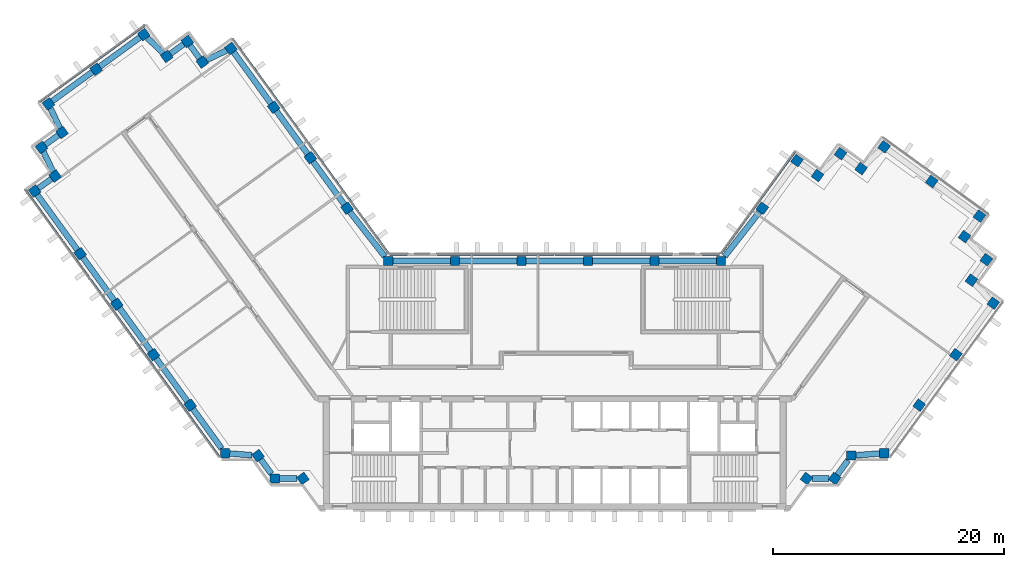
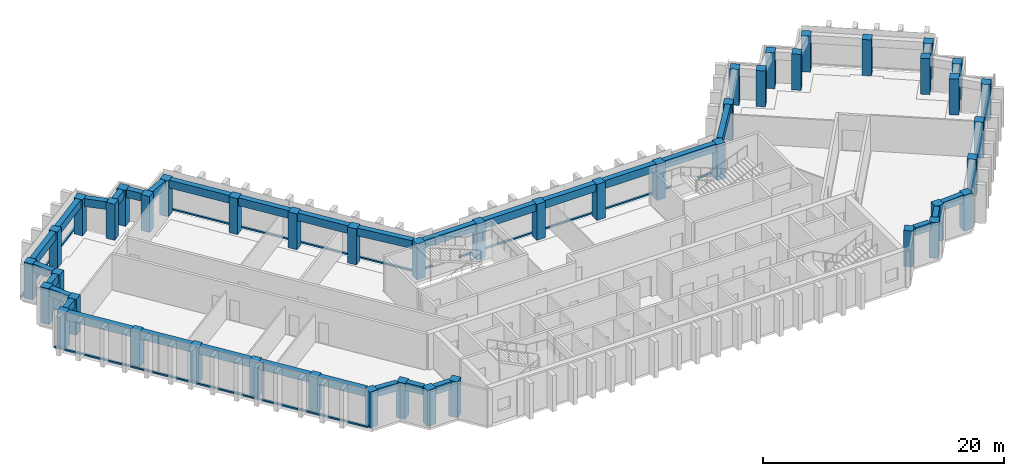
"""IFC4 building model written with IfcOpenShell, lengths in metres."""

import ifcopenshell
import ifcopenshell.guid

model = None  # the IFC model being written
_history = None  # IfcOwnerHistory: only IFC2X3 demands one
_inside = {}  # id of a spatial element -> (the spatial element, [elements in it])
_under = {}  # id of a project, library or spatial element -> (it, [spatial elements below it])
_declared = {}  # id of a project -> (the project, [libraries it declares])
_typed = {}  # id of a type object -> (the type object, [elements of that type])
_made_of = {}  # id of a material, layer set ... -> (it, [elements and type objects made of it])


def new_model(schema):
    """Start an empty IFC model of exactly this schema.

    Asked for "IFC4X3", IfcOpenShell would pick the latest addendum, in which some entities
    have other attributes; the version numbers below select the first issue.
    IFC2X3 requires an IfcOwnerHistory on every rooted entity: one is made here for all.
    """
    global model, _history
    if schema == "IFC4X3":
        model = ifcopenshell.file(schema_version=(4, 3, 0, 0))
    else:
        model = ifcopenshell.file(schema=schema)
    _inside.clear()
    _under.clear()
    _declared.clear()
    _typed.clear()
    _made_of.clear()
    _history = None
    if model.schema == "IFC2X3":
        org = make("IfcOrganization", Name="unknown")
        user = make(
            "IfcPersonAndOrganization",
            ThePerson=make("IfcPerson", FamilyName="unknown"),
            TheOrganization=org,
        )
        app = make(
            "IfcApplication",
            ApplicationDeveloper=org,
            Version="unknown",
            ApplicationFullName="unknown",
            ApplicationIdentifier="unknown",
        )
        _history = make(
            "IfcOwnerHistory",
            OwningUser=user,
            OwningApplication=app,
            ChangeAction="ADDED",
            CreationDate=0,
        )
    return model


def make(cls, **values):
    """One entity of the class cls with the attributes given. An attribute that is None is left unset."""
    return model.create_entity(
        cls, **{name: value for name, value in values.items() if value is not None}
    )


def rooted(cls, **values):
    """An entity with a GlobalId (a new one), such as an element, a storey or a relation."""
    return make(cls, GlobalId=ifcopenshell.guid.new(), OwnerHistory=_history, **values)


def si_unit(unit_type, name, prefix=None):
    """IfcSIUnit, for example si_unit("LENGTHUNIT", "METRE", prefix="MILLI")."""
    return make("IfcSIUnit", UnitType=unit_type, Prefix=prefix, Name=name)


def assignment(units):
    """IfcUnitAssignment: the units of a project."""
    return None if units is None else make("IfcUnitAssignment", Units=units)


def point(xyz):
    """IfcCartesianPoint."""
    return None if xyz is None else make("IfcCartesianPoint", Coordinates=xyz)


def direction(xyz):
    """IfcDirection."""
    return None if xyz is None else make("IfcDirection", DirectionRatios=xyz)


def frame(location, z_axis=None, x_axis=None):
    """IfcAxis2Placement3D, a coordinate frame: its origin and axes. An axis left out is left unset."""
    return make(
        "IfcAxis2Placement3D",
        Location=point(location),
        Axis=direction(z_axis),
        RefDirection=direction(x_axis),
    )


def frame_2d(location, x_axis=None):
    """IfcAxis2Placement2D, a coordinate frame in the plane: its origin and x axis."""
    return make(
        "IfcAxis2Placement2D", Location=point(location), RefDirection=direction(x_axis)
    )


def origin():
    """The frame at (0, 0, 0) with its axes left unset."""
    return frame((0.0, 0.0, 0.0))


def origin_2d():
    """The frame at (0, 0) in the plane with its x axis left unset."""
    return frame_2d((0.0, 0.0))


def place(relative_to, where):
    """IfcLocalPlacement: puts the frame where relative to a parent placement (None: the world)."""
    return make(
        "IfcLocalPlacement", PlacementRelTo=relative_to, RelativePlacement=where
    )


def context(
    kind, dimensions, precision=None, world=None, true_north=None, identifier=None
):
    """IfcGeometricRepresentationContext, for example the 3D "Model" context."""
    return make(
        "IfcGeometricRepresentationContext",
        ContextIdentifier=identifier,
        ContextType=kind,
        CoordinateSpaceDimension=dimensions,
        Precision=precision,
        WorldCoordinateSystem=world,
        TrueNorth=true_north,
    )


def subcontext(parent, identifier, kind, view, scale=None):
    """IfcGeometricRepresentationSubContext, for example "Body" below "Model"."""
    return make(
        "IfcGeometricRepresentationSubContext",
        ContextIdentifier=identifier,
        ContextType=kind,
        ParentContext=parent,
        TargetScale=scale,
        TargetView=view,
    )


def project(units=None, contexts=None):
    """IfcProject with its units and contexts."""
    return rooted(
        "IfcProject",
        Name="project",
        RepresentationContexts=contexts,
        UnitsInContext=assignment(units),
    )


def spatial(cls, under=None, at=None, **own):
    """A site, building, storey or space (cls), placed at a placement, below another one or the project."""
    s = rooted(cls, ObjectPlacement=at, **own)
    if under is not None:
        _under.setdefault(under.id(), (under, []))[1].append(s)
    return s


def profile(cls, at=None, kind="AREA", **sizes):
    """A parametric profile (cls). Its sizes go by their IFC names, for example OverallWidth=200.0."""
    return make(cls, ProfileType=kind, Position=at, **sizes)


def rectangle(**sizes):
    """IfcRectangleProfileDef."""
    return profile("IfcRectangleProfileDef", **sizes)


def extrude(swept, where, along, depth):
    """IfcExtrudedAreaSolid: the profile swept, set in the frame where, extruded along a direction by depth."""
    return make(
        "IfcExtrudedAreaSolid",
        SweptArea=swept,
        Position=where,
        ExtrudedDirection=direction(along),
        Depth=depth,
    )


def shape(context_of_items, identifier, shape_type, items):
    """IfcShapeRepresentation: the items that make up one representation, for example the "Body"."""
    return make(
        "IfcShapeRepresentation",
        ContextOfItems=context_of_items,
        RepresentationIdentifier=identifier,
        RepresentationType=shape_type,
        Items=items,
    )


def material(Name=None, Category=None):
    """IfcMaterial."""
    return make("IfcMaterial", Name=Name, Category=Category)


def material_profile(
    of_material, cross_section, Name=None, Category=None, Priority=None
):
    """IfcMaterialProfile: a cross section and its material."""
    return make(
        "IfcMaterialProfile",
        Name=Name,
        Material=of_material,
        Profile=cross_section,
        Priority=Priority,
        Category=Category,
    )


def profile_set(profiles, Name=None, composite=None):
    """IfcMaterialProfileSet."""
    return make(
        "IfcMaterialProfileSet",
        Name=Name,
        MaterialProfiles=profiles,
        CompositeProfile=composite,
    )


def made_of(thing, what):
    """Note that an element or type object is made of a material, layer set ...; save() writes the relation."""
    if what is not None:
        _made_of.setdefault(what.id(), (what, []))[1].append(thing)
    return thing


def type_object(cls, material=None, **own):
    """A type object (cls), such as IfcWallType, which elements share."""
    return made_of(rooted(cls, **own), material)


def element(
    cls,
    number,
    at=None,
    inside=None,
    cuts=None,
    type_object=None,
    material=None,
    context=None,
    identifier="Body",
    shape_type=None,
    held_by="IfcProductDefinitionShape",
    body=None,
    shapes=None,
    **own,
):
    """One element of the class cls, such as IfcWall. Its Tag is "e" and its number.

    at: its placement. inside: the storey or other place that contains it. cuts: it is an
    opening in that element (IfcRelVoidsElement). A single representation is given by context,
    identifier, shape_type and body (its items); several are given by shapes. held_by: the class
    of the entity that holds the representations. save() writes the other relations.
    """
    e = rooted(cls, Tag="e%d" % number, ObjectPlacement=at, **own)
    if body is not None:
        shapes = [shape(context, identifier, shape_type, body)]
    if shapes is not None:
        e.Representation = make(held_by, Representations=shapes)
    if inside is not None:
        _inside.setdefault(inside.id(), (inside, []))[1].append(e)
    if cuts is not None:
        rooted(
            "IfcRelVoidsElement", RelatingBuildingElement=cuts, RelatedOpeningElement=e
        )
    if type_object is not None:
        _typed.setdefault(type_object.id(), (type_object, []))[1].append(e)
    return made_of(e, material)


def aggregate(whole, parts):
    """IfcRelAggregates: a whole, such as a stair, and the parts it consists of."""
    return rooted("IfcRelAggregates", RelatingObject=whole, RelatedObjects=parts)


def save(model, path):
    """Write the relations noted so far, then the file.

    IfcRelAggregates (storeys below a building ...), IfcRelContainedInSpatialStructure (elements
    in a storey), IfcRelDefinesByType, IfcRelAssociatesMaterial and IfcRelDeclares: one each for
    every whole, place, type object, material and project.
    """
    for whole, parts in _under.values():
        aggregate(whole, parts)
    for where, things in _inside.values():
        rooted(
            "IfcRelContainedInSpatialStructure",
            RelatedElements=things,
            RelatingStructure=where,
        )
    for kind, things in _typed.values():
        rooted("IfcRelDefinesByType", RelatedObjects=things, RelatingType=kind)
    for what, things in _made_of.values():
        rooted("IfcRelAssociatesMaterial", RelatedObjects=things, RelatingMaterial=what)
    for by, libraries in _declared.values():
        rooted("IfcRelDeclares", RelatingContext=by, RelatedDefinitions=libraries)
    model.write(path)


model = new_model("IFC4")

# Units and contexts
model_context = context("Model", 3, precision=1e-05, world=origin(), true_north=direction((0.0, 1.0)))
body_context = subcontext(model_context, "Body", "Model", "MODEL_VIEW")
ifc_project = project(units=[si_unit("LENGTHUNIT", "METRE"), si_unit("AREAUNIT", "SQUARE_METRE"), si_unit("VOLUMEUNIT", "CUBIC_METRE"), si_unit("PLANEANGLEUNIT", "RADIAN"), si_unit("MASSUNIT", "GRAM", prefix="KILO")], contexts=[model_context])

# Site, building, storey
site_placement = place(None, origin())
site = spatial("IfcSite", under=ifc_project, at=site_placement, CompositionType="ELEMENT")
building_placement = place(site_placement, origin())
building = spatial("IfcBuilding", under=site, at=building_placement, Name="Quipu Civic Tower", CompositionType="ELEMENT")
storey_1_placement = place(building_placement, frame((0.0, 0.0, 194.0)))
storey_1 = spatial("IfcBuildingStorey", under=building, at=storey_1_placement, Name="L45", CompositionType="ELEMENT", Elevation=194.0)

# Columns
ifc_material_1 = material(Name="Concrete C50/60", Category="concrete")
ifc_material_profile_1 = material_profile(ifc_material_1, rectangle(XDim=0.800048828125, YDim=0.800048828125, at=origin_2d()), Name="RC800x800")
ifc_profile_set_1 = profile_set([ifc_material_profile_1], Name="Concrete C50/60")
column_type = type_object("IfcColumnType", Name="Perimeter column RC 800x800 C50/60", PredefinedType="COLUMN", material=ifc_profile_set_1)
for number, where, z_axis, x_axis, name in (
    (1, (-17.9736328125, 15.074951171875, 0.0), (0.0, 0.0, 1.0), (-0.587785252292, 0.809016994375, 0.0), "Column L45 W-IN-01"),
    (2, (-21.1474609375, 19.44384765625, 0.0), (0.0, 0.0, 1.0), (-0.587785252292, 0.809016994375, 0.0), "Column L45 W-IN-02"),
    (3, (-24.3212890625, 23.8125, 0.0), (0.0, 0.0, 1.0), (-0.587785252292, 0.809016994375, 0.0), "Column L45 W-IN-03"),
    (4, (-28.02001953125, 28.905029296875, 0.0), (0.0, 0.0, 1.0), (-0.809016994375, -0.587785252292, 0.0), "Column L45 T-Wi.0-W34"),
    (5, (-30.498779296875, 27.72265625, 0.0), (0.0, 0.0, 1.0), (-0.809016994375, -0.587785252292, 0.0), "Column L45 T-Wi.1-W34"),
    (6, (-31.794921875, 29.5, 0.0), (0.0, 0.0, 1.0), (-0.587785252292, 0.809016994375, 0.0), "Column L45 T-Wi.2-W34"),
    (7, (-33.573974609375, 28.20947265625, 0.0), (0.0, 0.0, 1.0), (-0.587785252292, 0.809016994375, 0.0), "Column L45 T-Wi.3-W34"),
    (8, (-35.56494140625, 30.10009765625, 0.0), (0.0, 0.0, 1.0), (-0.809016994375, -0.587785252292, 0.0), "Column L45 T-Wi.4-W34"),
    (9, (-39.690673828125, 27.10205078125, 0.0), (0.0, 0.0, 1.0), (-0.809016994375, -0.587785252292, 0.0), "Column L45 TIP-W-01-W34"),
    (10, (-43.81494140625, 24.10498046875, 0.0), (0.0, 0.0, 1.0), (-0.809016994375, -0.587785252292, 0.0), "Column L45 T-Wo.0-W34"),
    (11, (-42.635009765625, 21.626220703125, 0.0), (0.0, 0.0, 1.0), (-0.809016994375, -0.587785252292, 0.0), "Column L45 T-Wo.1-W34"),
    (12, (-44.4150390625, 20.3349609375, 0.0), (0.0, 0.0, 1.0), (0.587785252292, -0.809016994375, 0.0), "Column L45 T-Wo.2-W34"),
    (13, (-43.23095703125, 17.8544921875, 0.0), (0.0, 0.0, 1.0), (0.587785252292, -0.809016994375, 0.0), "Column L45 T-Wo.3-W34"),
    (14, (-45.010009765625, 16.56005859375, 0.0), (0.0, 0.0, 1.0), (0.587785252292, -0.809016994375, 0.0), "Column L45 T-Wo.4-W34"),
    (15, (-41.0703125, 11.137451171875, 0.0), (0.0, 0.0, 1.0), (0.587785252292, -0.809016994375, 0.0), "Column L45 W-OUT-04"),
    (16, (-37.896240234375, 6.768798828125, 0.0), (0.0, 0.0, 1.0), (0.587785252292, -0.809016994375, 0.0), "Column L45 W-OUT-03"),
    (17, (-34.722412109375, 2.39990234375, 0.0), (0.0, 0.0, 1.0), (0.587785252292, -0.809016994375, 0.0), "Column L45 W-OUT-02"),
    (18, (-31.54833984375, -1.96875, 0.0), (0.0, 0.0, 1.0), (0.587785252292, -0.809016994375, 0.0), "Column L45 W-OUT-01"),
    (19, (-28.52490234375, -6.1298828125, 0.0), (0.0, 0.0, 1.0), (1.0, 0.0, 0.0), "Column L45 J-Wo.0"),
    (20, (-25.67431640625, -6.3369140625, 0.0), (0.0, 0.0, 1.0), (0.587785252292, -0.809016994375, 0.0), "Column L45 J-Wo.1"),
    (21, (-24.235107421875, -8.31494140625, 0.0), (0.0, 0.0, 1.0), (1.0, 0.0, 0.0), "Column L45 J-Wo.2"),
    (22, (-21.791748046875, -8.31494140625, 0.0), (0.0, 0.0, 1.0), (0.587785252292, -0.809016994375, 0.0), "Column L45 J-Wo.3"),
    (23, (21.791748046875, -8.31494140625, 0.0), (0.0, 0.0, 1.0), (0.587785252292, 0.809016994375, 0.0), "Column L45 J-Eo.1"),
    (24, (24.235107421875, -8.31494140625, 0.0), (0.0, 0.0, 1.0), (0.587785252292, 0.809016994375, 0.0), "Column L45 J-Eo.2"),
    (25, (25.67431640625, -6.3369140625, 0.0), (0.0, 0.0, 1.0), (1.0, 0.0, 0.0), "Column L45 J-Eo.3"),
    (26, (28.52490234375, -6.1298828125, 0.0), (0.0, 0.0, 1.0), (1.0, 0.0, 0.0), "Column L45 J-Eo.4"),
    (27, (31.54833984375, -1.96875, 0.0), (0.0, 0.0, 1.0), (0.587785252292, 0.809016994375, 0.0), "Column L45 E-OUT-01"),
    (28, (34.722412109375, 2.39990234375, 0.0), (0.0, 0.0, 1.0), (0.587785252292, 0.809016994375, 0.0), "Column L45 E-OUT-02"),
    (29, (37.9599609375, 6.85498046875, 0.0), (0.0, 0.0, 1.0), (0.587785252292, 0.809016994375, 0.0), "Column L45 T-Eo.0-E22"),
    (30, (36.068115234375, 8.843994140625, 0.0), (0.0, 0.0, 1.0), (0.587785252292, 0.809016994375, 0.0), "Column L45 T-Eo.1-E22"),
    (31, (37.360107421875, 10.625, 0.0), (0.0, 0.0, 1.0), (0.587785252292, 0.809016994375, 0.0), "Column L45 T-Eo.2-E22"),
    (32, (35.470703125, 12.616455078125, 0.0), (0.0, 0.0, 1.0), (-0.809016994375, 0.587785252292, 0.0), "Column L45 T-Eo.3-E22"),
    (33, (36.764892578125, 14.39501953125, 0.0), (0.0, 0.0, 1.0), (-0.809016994375, 0.587785252292, 0.0), "Column L45 T-Eo.4-E22"),
    (34, (32.636962890625, 17.39306640625, 0.0), (0.0, 0.0, 1.0), (-0.809016994375, 0.587785252292, 0.0), "Column L45 TIP-E-01-E22"),
    (35, (28.510009765625, 20.389892578125, 0.0), (0.0, 0.0, 1.0), (-0.587785252292, -0.809016994375, 0.0), "Column L45 T-Ei.0-E22"),
    (36, (26.51904296875, 18.50048828125, 0.0), (0.0, 0.0, 1.0), (-0.809016994375, 0.587785252292, 0.0), "Column L45 T-Ei.1-E22"),
    (37, (24.739990234375, 19.794921875, 0.0), (0.0, 0.0, 1.0), (-0.587785252292, -0.809016994375, 0.0), "Column L45 T-Ei.2-E22"),
    (38, (22.749267578125, 17.904296875, 0.0), (0.0, 0.0, 1.0), (-0.587785252292, -0.809016994375, 0.0), "Column L45 T-Ei.3-E22"),
    (39, (20.969970703125, 19.195068359375, 0.0), (0.0, 0.0, 1.0), (-0.587785252292, -0.809016994375, 0.0), "Column L45 T-Ei.4-E22"),
    (40, (17.9736328125, 15.074951171875, 0.0), (0.0, 0.0, 1.0), (-0.587785252292, -0.809016994375, 0.0), "Column L45 E-IN-01"),
    (41, (14.395263671875, 10.5, 0.0), (0.0, 0.0, 1.0), (-1.0, 0.0, 0.0), "Column L45 J-Ei.0"),
    (42, (8.63720703125, 10.5, 0.0), (0.0, 0.0, 1.0), (-1.0, 0.0, 0.0), "Column L45 FRONT-01"),
    (43, (2.87890625, 10.5, 0.0), (0.0, 0.0, 1.0), (-1.0, 0.0, 0.0), "Column L45 FRONT-02"),
    (44, (-2.87890625, 10.5, 0.0), (0.0, 0.0, 1.0), (-1.0, 0.0, 0.0), "Column L45 FRONT-03"),
    (45, (-8.63720703125, 10.5, 0.0), (0.0, 0.0, 1.0), (-1.0, 0.0, 0.0), "Column L45 FRONT-04"),
    (46, (-14.395263671875, 10.5, 0.0), (0.0, 0.0, 1.0), (-1.0, 0.0, 0.0), "Column L45 J-Wi.0"),
):
    element("IfcColumn", number, at=place(storey_1_placement, frame(where, z_axis=z_axis, x_axis=x_axis)), inside=storey_1, type_object=column_type, Name=name, PredefinedType="COLUMN", context=body_context, shape_type="SweptSolid", body=[
        extrude(rectangle(XDim=0.800048828125, YDim=0.800048828125, at=origin_2d()), origin(), (0.0, 0.0, 1.0), 3.64990234375),
    ])

# Beams
ifc_material_2 = material(Name="Concrete C50/60", Category="concrete")
ifc_material_profile_2 = material_profile(ifc_material_2, rectangle(XDim=0.5, YDim=0.800048828125, at=origin_2d()), Name="RC500x800")
ifc_profile_set_2 = profile_set([ifc_material_profile_2], Name="Concrete C50/60")
beam_type = type_object("IfcBeamType", Name="Spandrel beam RC 500x800 C50/60", PredefinedType="SPANDREL", material=ifc_profile_set_2)
beam_1_placement = place(storey_1_placement, frame((-18.208740234375, 15.398681640625, 3.25), z_axis=(-0.58776136044, 0.809034352283, 0.0), x_axis=(-0.809034352283, -0.58776136044, 0.0)))
element("IfcBeam", 47, at=beam_1_placement, inside=storey_1, type_object=beam_type, Name="Spandrel beam L45 W-IN-01 to W-IN-02", PredefinedType="SPANDREL", context=body_context, shape_type="SweptSolid", body=[
    extrude(rectangle(XDim=0.5, YDim=0.800048828125, at=origin_2d()), origin(), (0.0, 0.0, 1.0), 4.599853515625),
])
beam_2_placement = place(storey_1_placement, frame((-21.382568359375, 19.767333984375, 3.25), z_axis=(-0.587736122681, 0.809052686848, 0.0), x_axis=(-0.809052686848, -0.587736122681, 0.0)))
element("IfcBeam", 48, at=beam_2_placement, inside=storey_1, type_object=beam_type, Name="Spandrel beam L45 W-IN-02 to W-IN-03", PredefinedType="SPANDREL", context=body_context, shape_type="SweptSolid", body=[
    extrude(rectangle(XDim=0.5, YDim=0.800048828125, at=origin_2d()), origin(), (0.0, 0.0, 1.0), 4.60009765625),
])
beam_3_placement = place(storey_1_placement, frame((-24.556396484375, 24.13623046875, 3.25), z_axis=(-0.587664254196, 0.809104890815, 0.0), x_axis=(-0.809104890815, -0.587664254196, 0.0)))
element("IfcBeam", 49, at=beam_3_placement, inside=storey_1, type_object=beam_type, Name="Spandrel beam L45 W-IN-03 to T-Wi.0-W34", PredefinedType="SPANDREL", context=body_context, shape_type="SweptSolid", body=[
    extrude(rectangle(XDim=0.5, YDim=0.800048828125, at=origin_2d()), origin(), (0.0, 0.0, 1.0), 5.493896484375),
])
beam_4_placement = place(storey_1_placement, frame((-28.38720703125, 28.72998046875, 3.25), z_axis=(-0.902584802379, -0.430512107279, 0.0), x_axis=(0.430512107279, -0.902584802379, 0.0)))
element("IfcBeam", 50, at=beam_4_placement, inside=storey_1, type_object=beam_type, Name="Spandrel beam L45 T-Wi.0-W34 to T-Wi.1-W34", PredefinedType="SPANDREL", context=body_context, shape_type="SweptSolid", body=[
    extrude(rectangle(XDim=0.5, YDim=0.800048828125, at=origin_2d()), origin(), (0.0, 0.0, 1.0), 1.9326171875),
])
beam_5_placement = place(storey_1_placement, frame((-30.734375, 28.0458984375, 3.25), z_axis=(-0.589342949835, 0.80788296645, 0.0), x_axis=(-0.80788296645, -0.589342949835, 0.0)))
element("IfcBeam", 51, at=beam_5_placement, inside=storey_1, type_object=beam_type, Name="Spandrel beam L45 T-Wi.1-W34 to T-Wi.2-W34", PredefinedType="SPANDREL", context=body_context, shape_type="SweptSolid", body=[
    extrude(rectangle(XDim=0.5, YDim=0.800048828125, at=origin_2d()), origin(), (0.0, 0.0, 1.0), 1.39990234375),
])
beam_6_placement = place(storey_1_placement, frame((-32.118896484375, 29.26513671875, 3.25), z_axis=(-0.80941533633, -0.587236590578, 0.0), x_axis=(0.587236590578, -0.80941533633, 0.0)))
element("IfcBeam", 52, at=beam_6_placement, inside=storey_1, type_object=beam_type, Name="Spandrel beam L45 T-Wi.2-W34 to T-Wi.3-W34", PredefinedType="SPANDREL", context=body_context, shape_type="SweptSolid", body=[
    extrude(rectangle(XDim=0.5, YDim=0.800048828125, at=origin_2d()), origin(), (0.0, 0.0, 1.0), 1.397705078125),
])
beam_7_placement = place(storey_1_placement, frame((-33.868896484375, 28.489501953125, 3.25), z_axis=(-0.72519185421, 0.68854685722, 0.0), x_axis=(-0.68854685722, -0.72519185421, 0.0)))
element("IfcBeam", 53, at=beam_7_placement, inside=storey_1, type_object=beam_type, Name="Spandrel beam L45 T-Wi.3-W34 to T-Wi.4-W34", PredefinedType="SPANDREL", context=body_context, shape_type="SweptSolid", body=[
    extrude(rectangle(XDim=0.5, YDim=0.800048828125, at=origin_2d()), origin(), (0.0, 0.0, 1.0), 1.93212890625),
])
beam_8_placement = place(storey_1_placement, frame((-35.888671875, 29.86474609375, 3.25), z_axis=(-0.808983997561, -0.58783066583, 0.0), x_axis=(0.58783066583, -0.808983997561, 0.0)))
element("IfcBeam", 54, at=beam_8_placement, inside=storey_1, type_object=beam_type, Name="Spandrel beam L45 T-Wi.4-W34 to TIP-W-01-W34", PredefinedType="SPANDREL", context=body_context, shape_type="SweptSolid", body=[
    extrude(rectangle(XDim=0.5, YDim=0.800048828125, at=origin_2d()), origin(), (0.0, 0.0, 1.0), 4.2998046875),
])
beam_9_placement = place(storey_1_placement, frame((-40.014404296875, 26.866943359375, 3.25), z_axis=(-0.808947267178, -0.587881211578, 0.0), x_axis=(0.587881211578, -0.808947267178, 0.0)))
element("IfcBeam", 55, at=beam_9_placement, inside=storey_1, type_object=beam_type, Name="Spandrel beam L45 TIP-W-01-W34 to T-Wo.0-W34", PredefinedType="SPANDREL", context=body_context, shape_type="SweptSolid", body=[
    extrude(rectangle(XDim=0.5, YDim=0.800048828125, at=origin_2d()), origin(), (0.0, 0.0, 1.0), 4.29833984375),
])
beam_10_placement = place(storey_1_placement, frame((-43.64013671875, 23.737548828125, 3.25), z_axis=(0.429889421342, -0.902881545618, 0.0), x_axis=(0.902881545618, 0.429889421342, 0.0)))
element("IfcBeam", 56, at=beam_10_placement, inside=storey_1, type_object=beam_type, Name="Spandrel beam L45 T-Wo.0-W34 to T-Wo.1-W34", PredefinedType="SPANDREL", context=body_context, shape_type="SweptSolid", body=[
    extrude(rectangle(XDim=0.5, YDim=0.800048828125, at=origin_2d()), origin(), (0.0, 0.0, 1.0), 1.931396484375),
])
beam_11_placement = place(storey_1_placement, frame((-42.958740234375, 21.391357421875, 3.25), z_axis=(-0.809467380413, -0.587164849125, 0.0), x_axis=(0.587164849125, -0.809467380413, 0.0)))
element("IfcBeam", 57, at=beam_11_placement, inside=storey_1, type_object=beam_type, Name="Spandrel beam L45 T-Wo.1-W34 to T-Wo.2-W34", PredefinedType="SPANDREL", context=body_context, shape_type="SweptSolid", body=[
    extrude(rectangle(XDim=0.5, YDim=0.800048828125, at=origin_2d()), origin(), (0.0, 0.0, 1.0), 1.399169921875),
])
beam_12_placement = place(storey_1_placement, frame((-44.23974609375, 19.9677734375, 3.25), z_axis=(0.430785642718, -0.902454281406, 0.0), x_axis=(0.902454281406, 0.430785642718, 0.0)))
element("IfcBeam", 58, at=beam_12_placement, inside=storey_1, type_object=beam_type, Name="Spandrel beam L45 T-Wo.2-W34 to T-Wo.3-W34", PredefinedType="SPANDREL", context=body_context, shape_type="SweptSolid", body=[
    extrude(rectangle(XDim=0.5, YDim=0.800048828125, at=origin_2d()), origin(), (0.0, 0.0, 1.0), 1.934814453125),
])
beam_13_placement = place(storey_1_placement, frame((-43.554443359375, 17.619140625, 3.25), z_axis=(-0.808600329101, -0.588358315805, 0.0), x_axis=(0.588358315805, -0.808600329101, 0.0)))
element("IfcBeam", 59, at=beam_13_placement, inside=storey_1, type_object=beam_type, Name="Spandrel beam L45 T-Wo.3-W34 to T-Wo.4-W34", PredefinedType="SPANDREL", context=body_context, shape_type="SweptSolid", body=[
    extrude(rectangle(XDim=0.5, YDim=0.800048828125, at=origin_2d()), origin(), (0.0, 0.0, 1.0), 1.400146484375),
])
beam_14_placement = place(storey_1_placement, frame((-44.77490234375, 16.236328125, 3.25), z_axis=(0.58780026889, -0.809006083965, 0.0), x_axis=(0.809006083965, 0.58780026889, 0.0)))
element("IfcBeam", 60, at=beam_14_placement, inside=storey_1, type_object=beam_type, Name="Spandrel beam L45 T-Wo.4-W34 to W-OUT-04", PredefinedType="SPANDREL", context=body_context, shape_type="SweptSolid", body=[
    extrude(rectangle(XDim=0.5, YDim=0.800048828125, at=origin_2d()), origin(), (0.0, 0.0, 1.0), 5.902587890625),
])
beam_15_placement = place(storey_1_placement, frame((-40.835205078125, 10.81396484375, 3.25), z_axis=(0.587770861189, -0.809027449928, 0.0), x_axis=(0.809027449928, 0.587770861189, 0.0)))
element("IfcBeam", 61, at=beam_15_placement, inside=storey_1, type_object=beam_type, Name="Spandrel beam L45 W-OUT-04 to W-OUT-03", PredefinedType="SPANDREL", context=body_context, shape_type="SweptSolid", body=[
    extrude(rectangle(XDim=0.5, YDim=0.800048828125, at=origin_2d()), origin(), (0.0, 0.0, 1.0), 4.60009765625),
])
beam_16_placement = place(storey_1_placement, frame((-37.6611328125, 6.445068359375, 3.25), z_axis=(0.58776136044, -0.809034352283, 0.0), x_axis=(0.809034352283, 0.58776136044, 0.0)))
element("IfcBeam", 62, at=beam_16_placement, inside=storey_1, type_object=beam_type, Name="Spandrel beam L45 W-OUT-03 to W-OUT-02", PredefinedType="SPANDREL", context=body_context, shape_type="SweptSolid", body=[
    extrude(rectangle(XDim=0.5, YDim=0.800048828125, at=origin_2d()), origin(), (0.0, 0.0, 1.0), 4.599853515625),
])
beam_17_placement = place(storey_1_placement, frame((-34.4873046875, 2.076416015625, 3.25), z_axis=(0.587796098864, -0.809009113768, 0.0), x_axis=(0.809009113768, 0.587796098864, 0.0)))
element("IfcBeam", 63, at=beam_17_placement, inside=storey_1, type_object=beam_type, Name="Spandrel beam L45 W-OUT-02 to W-OUT-01", PredefinedType="SPANDREL", context=body_context, shape_type="SweptSolid", body=[
    extrude(rectangle(XDim=0.5, YDim=0.800048828125, at=origin_2d()), origin(), (0.0, 0.0, 1.0), 4.60009765625),
])
beam_18_placement = place(storey_1_placement, frame((-31.313232421875, -2.292236328125, 3.25), z_axis=(0.58776850526, -0.809029161541, 0.0), x_axis=(0.809029161541, 0.58776850526, 0.0)))
element("IfcBeam", 64, at=beam_18_placement, inside=storey_1, type_object=beam_type, Name="Spandrel beam L45 W-OUT-01 to J-Wo.0", PredefinedType="SPANDREL", context=body_context, shape_type="SweptSolid", body=[
    extrude(rectangle(XDim=0.5, YDim=0.800048828125, at=origin_2d()), origin(), (0.0, 0.0, 1.0), 4.249267578125),
])
beam_19_placement = place(storey_1_placement, frame((-28.125, -6.158935546875, 3.25), z_axis=(0.997370796499, -0.072467194581, 0.0), x_axis=(0.072467194581, 0.997370796499, 0.0)))
element("IfcBeam", 65, at=beam_19_placement, inside=storey_1, type_object=beam_type, Name="Spandrel beam L45 J-Wo.0 to J-Wo.1", PredefinedType="SPANDREL", context=body_context, shape_type="SweptSolid", body=[
    extrude(rectangle(XDim=0.5, YDim=0.800048828125, at=origin_2d()), origin(), (0.0, 0.0, 1.0), 1.933837890625),
])
beam_20_placement = place(storey_1_placement, frame((-25.43896484375, -6.660400390625, 3.25), z_axis=(0.588330737135, -0.808620395329, 0.0), x_axis=(0.808620395329, 0.588330737135, 0.0)))
element("IfcBeam", 66, at=beam_20_placement, inside=storey_1, type_object=beam_type, Name="Spandrel beam L45 J-Wo.1 to J-Wo.2", PredefinedType="SPANDREL", context=body_context, shape_type="SweptSolid", body=[
    extrude(rectangle(XDim=0.5, YDim=0.800048828125, at=origin_2d()), origin(), (0.0, 0.0, 1.0), 1.551513671875),
])
beam_21_placement = place(storey_1_placement, frame((-23.8349609375, -8.31494140625, 3.25), z_axis=(1.0, 0.0, 0.0), x_axis=(0.0, 1.0, 0.0)))
element("IfcBeam", 67, at=beam_21_placement, inside=storey_1, type_object=beam_type, Name="Spandrel beam L45 J-Wo.2 to J-Wo.3", PredefinedType="SPANDREL", context=body_context, shape_type="SweptSolid", body=[
    extrude(rectangle(XDim=0.5, YDim=0.800048828125, at=origin_2d()), origin(), (0.0, 0.0, 1.0), 1.548828125),
])
beam_22_placement = place(storey_1_placement, frame((22.2861328125, -8.31494140625, 3.25), z_axis=(1.0, 0.0, 0.0), x_axis=(0.0, 1.0, 0.0)))
element("IfcBeam", 68, at=beam_22_placement, inside=storey_1, type_object=beam_type, Name="Spandrel beam L45 J-Eo.1 to J-Eo.2", PredefinedType="SPANDREL", context=body_context, shape_type="SweptSolid", body=[
    extrude(rectangle(XDim=0.5, YDim=0.800048828125, at=origin_2d()), origin(), (0.0, 0.0, 1.0), 1.454345703125),
])
beam_23_placement = place(storey_1_placement, frame((24.470458984375, -7.991455078125, 3.25), z_axis=(0.588405601119, 0.808565920981, 0.0), x_axis=(-0.808565920981, 0.588405601119, 0.0)))
element("IfcBeam", 69, at=beam_23_placement, inside=storey_1, type_object=beam_type, Name="Spandrel beam L45 J-Eo.2 to J-Eo.3", PredefinedType="SPANDREL", context=body_context, shape_type="SweptSolid", body=[
    extrude(rectangle(XDim=0.5, YDim=0.800048828125, at=origin_2d()), origin(), (0.0, 0.0, 1.0), 1.55126953125),
])
beam_24_placement = place(storey_1_placement, frame((26.074462890625, -6.307861328125, 3.25), z_axis=(0.997372997143, 0.072436900614, 0.0), x_axis=(-0.072436900614, 0.997372997143, 0.0)))
element("IfcBeam", 70, at=beam_24_placement, inside=storey_1, type_object=beam_type, Name="Spandrel beam L45 J-Eo.3 to J-Eo.4", PredefinedType="SPANDREL", context=body_context, shape_type="SweptSolid", body=[
    extrude(rectangle(XDim=0.5, YDim=0.800048828125, at=origin_2d()), origin(), (0.0, 0.0, 1.0), 2.055908203125),
])
beam_25_placement = place(storey_1_placement, frame((17.72705078125, 14.759765625, 3.25), z_axis=(-0.616090612932, -0.787675286306, 0.0), x_axis=(0.787675286306, -0.616090612932, 0.0)))
element("IfcBeam", 71, at=beam_25_placement, inside=storey_1, type_object=beam_type, Name="Spandrel beam L45 E-IN-01 to J-Ei.0", PredefinedType="SPANDREL", context=body_context, shape_type="SweptSolid", body=[
    extrude(rectangle(XDim=0.5, YDim=0.800048828125, at=origin_2d()), origin(), (0.0, 0.0, 1.0), 4.900390625),
])
for number, where, z_axis, x_axis, name in (
    (72, (13.9951171875, 10.5, 3.25), (-1.0, 0.0, 0.0), (0.0, -1.0, 0.0), "Spandrel beam L45 J-Ei.0 to FRONT-01"),
    (73, (8.237060546875, 10.5, 3.25), (-1.0, 0.0, 0.0), (0.0, -1.0, 0.0), "Spandrel beam L45 FRONT-01 to FRONT-02"),
    (74, (2.47900390625, 10.5, 3.25), (-1.0, 0.0, 0.0), (0.0, -1.0, 0.0), "Spandrel beam L45 FRONT-02 to FRONT-03"),
    (75, (-3.279052734375, 10.5, 3.25), (-1.0, 0.0, 0.0), (0.0, -1.0, 0.0), "Spandrel beam L45 FRONT-03 to FRONT-04"),
    (76, (-9.037109375, 10.5, 3.25), (-1.0, 0.0, 0.0), (0.0, -1.0, 0.0), "Spandrel beam L45 FRONT-04 to J-Wi.0"),
):
    element("IfcBeam", number, at=place(storey_1_placement, frame(where, z_axis=z_axis, x_axis=x_axis)), inside=storey_1, type_object=beam_type, Name=name, PredefinedType="SPANDREL", context=body_context, shape_type="SweptSolid", body=[
        extrude(rectangle(XDim=0.5, YDim=0.800048828125, at=origin_2d()), origin(), (0.0, 0.0, 1.0), 4.9580078125),
    ])
beam_26_placement = place(storey_1_placement, frame((-14.7080078125, 10.89990234375, 3.25), z_axis=(-0.616090612932, 0.787675286306, 0.0), x_axis=(-0.787675286306, -0.616090612932, 0.0)))
element("IfcBeam", 77, at=beam_26_placement, inside=storey_1, type_object=beam_type, Name="Spandrel beam L45 J-Wi.0 to W-IN-01", PredefinedType="SPANDREL", context=body_context, shape_type="SweptSolid", body=[
    extrude(rectangle(XDim=0.5, YDim=0.800048828125, at=origin_2d()), origin(), (0.0, 0.0, 1.0), 4.900390625),
])

# Storey
storey_2_placement = place(building_placement, frame((0.0, 0.0, 198.0)))
storey_2 = spatial("IfcBuildingStorey", under=building, at=storey_2_placement, Name="L46", CompositionType="ELEMENT", Elevation=198.0)

# Curtain wall, member
ifc_material_3 = material(Name="Insulated glass unit", Category="glass")
curtain_wall_type = type_object("IfcCurtainWallType", Name="Office curtain wall CW1", PredefinedType="NOTDEFINED", material=ifc_material_3)
curtain_wall_1_placement = place(storey_2_placement, origin())
curtain_wall_1 = element("IfcCurtainWall", 78, at=curtain_wall_1_placement, inside=storey_2, type_object=curtain_wall_type, Name="Office curtain wall CW1 L45 run 11", PredefinedType="NOTDEFINED")
ifc_material_4 = material(Name="Anodised aluminium", Category="aluminium")
ifc_material_profile_3 = material_profile(ifc_material_4, rectangle(XDim=0.199951171875, YDim=0.159912109375, at=origin_2d()), Name="RECT 200x160")
ifc_profile_set_3 = profile_set([ifc_material_profile_3], Name="Anodised aluminium")
member_type = type_object("IfcMemberType", Name="Transom CW1", PredefinedType="USERDEFINED", material=ifc_profile_set_3)
member_1_placement = place(storey_1_placement, frame((20.788818359375, 19.97021484375, 0.159912109375), z_axis=(-0.587796859727, -0.809008560953, 0.0), x_axis=(0.809008560953, -0.587796859727, 0.0)))
member_1 = element("IfcMember", 79, at=member_1_placement, inside=storey_1, type_object=member_type, Name="CW1 transom 1.1", ObjectType="TRANSOM", PredefinedType="USERDEFINED", context=body_context, shape_type="SweptSolid", body=[
    extrude(rectangle(XDim=0.199951171875, YDim=0.159912109375, at=origin_2d()), origin(), (0.0, 0.0, 1.0), 10.88427734375),
])
aggregate(curtain_wall_1, [member_1])

curtain_wall_2_placement = place(storey_2_placement, origin())
curtain_wall_2 = element("IfcCurtainWall", 80, at=curtain_wall_2_placement, inside=storey_2, type_object=curtain_wall_type, Name="Office curtain wall CW1 L45 run 12", PredefinedType="NOTDEFINED")
member_2_placement = place(storey_1_placement, frame((14.26416015625, 11.10009765625, 0.159912109375), z_axis=(-1.0, 0.0, 0.0), x_axis=(0.0, -1.0, 0.0)))
member_2 = element("IfcMember", 81, at=member_2_placement, inside=storey_1, type_object=member_type, Name="CW1 transom 1.1", ObjectType="TRANSOM", PredefinedType="USERDEFINED", context=body_context, shape_type="SweptSolid", body=[
    extrude(rectangle(XDim=0.199951171875, YDim=0.159912109375, at=origin_2d()), origin(), (0.0, 0.0, 1.0), 1.529052734375),
])
aggregate(curtain_wall_2, [member_2])

# Curtain wall, members
curtain_wall_3_placement = place(storey_2_placement, origin())
curtain_wall_3 = element("IfcCurtainWall", 82, at=curtain_wall_3_placement, inside=storey_2, type_object=curtain_wall_type, Name="Office curtain wall CW1 L45 run 14", PredefinedType="NOTDEFINED")
member_3_placement = place(storey_1_placement, frame((10.18359375, 11.10009765625, 0.159912109375), z_axis=(-1.0, 0.0, 0.0), x_axis=(0.0, -1.0, 0.0)))
member_3 = element("IfcMember", 83, at=member_3_placement, inside=storey_1, type_object=member_type, Name="CW1 transom 1.1", ObjectType="TRANSOM", PredefinedType="USERDEFINED", context=body_context, shape_type="SweptSolid", body=[
    extrude(rectangle(XDim=0.199951171875, YDim=0.159912109375, at=origin_2d()), origin(), (0.0, 0.0, 1.0), 10.1435546875),
])
member_4_placement = place(storey_1_placement, frame((-0.0400390625, 11.10009765625, 0.159912109375), z_axis=(-1.0, 0.0, 0.0), x_axis=(0.0, -1.0, 0.0)))
member_4 = element("IfcMember", 84, at=member_4_placement, inside=storey_1, type_object=member_type, Name="CW1 transom 2.1", ObjectType="TRANSOM", PredefinedType="USERDEFINED", context=body_context, shape_type="SweptSolid", body=[
    extrude(rectangle(XDim=0.199951171875, YDim=0.159912109375, at=origin_2d()), origin(), (0.0, 0.0, 1.0), 10.1435546875),
])
aggregate(curtain_wall_3, [member_3, member_4])

# Curtain wall, member
curtain_wall_4_placement = place(storey_2_placement, origin())
curtain_wall_4 = element("IfcCurtainWall", 85, at=curtain_wall_4_placement, inside=storey_2, type_object=curtain_wall_type, Name="Office curtain wall CW1 L45 run 16", PredefinedType="NOTDEFINED")
member_5_placement = place(storey_1_placement, frame((-12.735107421875, 11.10009765625, 0.159912109375), z_axis=(-1.0, 0.0, 0.0), x_axis=(0.0, -1.0, 0.0)))
member_5 = element("IfcMember", 86, at=member_5_placement, inside=storey_1, type_object=member_type, Name="CW1 transom 1.1", ObjectType="TRANSOM", PredefinedType="USERDEFINED", context=body_context, shape_type="SweptSolid", body=[
    extrude(rectangle(XDim=0.199951171875, YDim=0.159912109375, at=origin_2d()), origin(), (0.0, 0.0, 1.0), 1.529052734375),
])
aggregate(curtain_wall_4, [member_5])

# Curtain wall, members
curtain_wall_5_placement = place(storey_2_placement, origin())
curtain_wall_5 = element("IfcCurtainWall", 87, at=curtain_wall_5_placement, inside=storey_2, type_object=curtain_wall_type, Name="Office curtain wall CW1 L45 run 17", PredefinedType="NOTDEFINED")
member_6_placement = place(storey_1_placement, frame((-14.39111328125, 11.164794921875, 0.159912109375), z_axis=(-0.587799878401, 0.809006367683, 0.0), x_axis=(-0.809006367683, -0.587799878401, 0.0)))
member_6 = element("IfcMember", 88, at=member_6_placement, inside=storey_1, type_object=member_type, Name="CW1 transom 1.1", ObjectType="TRANSOM", PredefinedType="USERDEFINED", context=body_context, shape_type="SweptSolid", body=[
    extrude(rectangle(XDim=0.199951171875, YDim=0.159912109375, at=origin_2d()), origin(), (0.0, 0.0, 1.0), 11.402099609375),
])
member_7_placement = place(storey_1_placement, frame((-21.140380859375, 20.453857421875, 0.159912109375), z_axis=(-0.587775682251, 0.809023947331, 0.0), x_axis=(-0.809023947331, -0.587775682251, 0.0)))
member_7 = element("IfcMember", 89, at=member_7_placement, inside=storey_1, type_object=member_type, Name="CW1 transom 2.1", ObjectType="TRANSOM", PredefinedType="USERDEFINED", context=body_context, shape_type="SweptSolid", body=[
    extrude(rectangle(XDim=0.199951171875, YDim=0.159912109375, at=origin_2d()), origin(), (0.0, 0.0, 1.0), 11.402099609375),
])
aggregate(curtain_wall_5, [member_6, member_7])

# Curtain wall, member
curtain_wall_6_placement = place(storey_2_placement, origin())
curtain_wall_6 = element("IfcCurtainWall", 90, at=curtain_wall_6_placement, inside=storey_2, type_object=curtain_wall_type, Name="Office curtain wall CW1 L45 run 22", PredefinedType="NOTDEFINED")
member_8_placement = place(storey_1_placement, frame((-35.496826171875, 30.890869140625, 0.159912109375), z_axis=(-0.809014959561, -0.587788052963, 0.0), x_axis=(0.587788052963, -0.809014959561, 0.0)))
member_8 = element("IfcMember", 91, at=member_8_placement, inside=storey_1, type_object=member_type, Name="CW1 transom 1.1", ObjectType="TRANSOM", PredefinedType="USERDEFINED", context=body_context, shape_type="SweptSolid", body=[
    extrude(rectangle(XDim=0.199951171875, YDim=0.159912109375, at=origin_2d()), origin(), (0.0, 0.0, 1.0), 11.239990234375),
])
aggregate(curtain_wall_6, [member_8])

# Curtain wall, members
curtain_wall_7_placement = place(storey_2_placement, origin())
curtain_wall_7 = element("IfcCurtainWall", 92, at=curtain_wall_7_placement, inside=storey_2, type_object=curtain_wall_type, Name="Office curtain wall CW1 L45 run 27", PredefinedType="NOTDEFINED")
member_9_placement = place(storey_1_placement, frame((-45.802490234375, 16.629638671875, 0.159912109375), z_axis=(0.587783783239, -0.809018061703, 0.0), x_axis=(0.809018061703, 0.587783783239, 0.0)))
member_9 = element("IfcMember", 93, at=member_9_placement, inside=storey_1, type_object=member_type, Name="CW1 transom 1.1", ObjectType="TRANSOM", PredefinedType="USERDEFINED", context=body_context, shape_type="SweptSolid", body=[
    extrude(rectangle(XDim=0.199951171875, YDim=0.159912109375, at=origin_2d()), origin(), (0.0, 0.0, 1.0), 9.431884765625),
])
member_10_placement = place(storey_1_placement, frame((-40.21142578125, 8.934326171875, 0.159912109375), z_axis=(0.587773158676, -0.809025780763, 0.0), x_axis=(0.809025780763, 0.587773158676, 0.0)))
member_10 = element("IfcMember", 94, at=member_10_placement, inside=storey_1, type_object=member_type, Name="CW1 transom 2.1", ObjectType="TRANSOM", PredefinedType="USERDEFINED", context=body_context, shape_type="SweptSolid", body=[
    extrude(rectangle(XDim=0.199951171875, YDim=0.159912109375, at=origin_2d()), origin(), (0.0, 0.0, 1.0), 9.471923828125),
])
member_11_placement = place(storey_1_placement, frame((-34.596923828125, 1.20654296875, 0.159912109375), z_axis=(0.587783783239, -0.809018061703, 0.0), x_axis=(0.809018061703, 0.587783783239, 0.0)))
member_11 = element("IfcMember", 95, at=member_11_placement, inside=storey_1, type_object=member_type, Name="CW1 transom 3.1", ObjectType="TRANSOM", PredefinedType="USERDEFINED", context=body_context, shape_type="SweptSolid", body=[
    extrude(rectangle(XDim=0.199951171875, YDim=0.159912109375, at=origin_2d()), origin(), (0.0, 0.0, 1.0), 9.431884765625),
])
aggregate(curtain_wall_7, [member_9, member_10, member_11])

save(model, "model.ifc")
